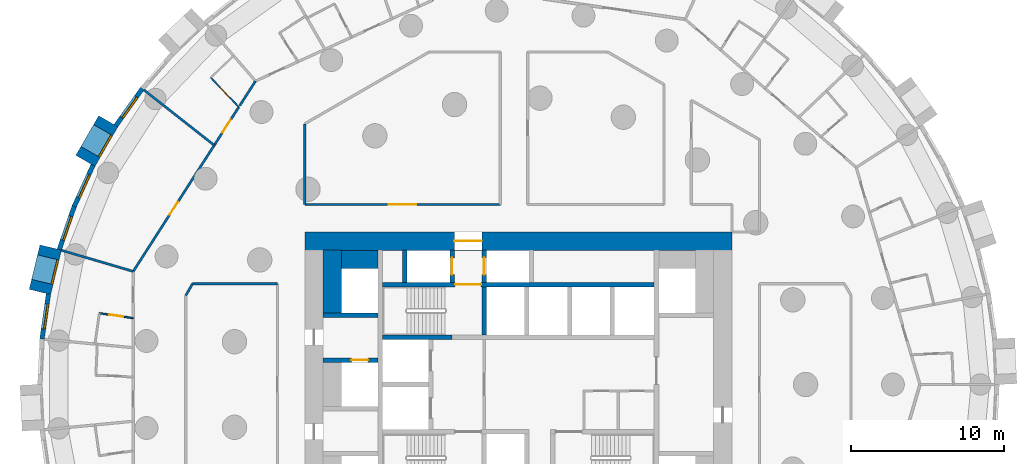
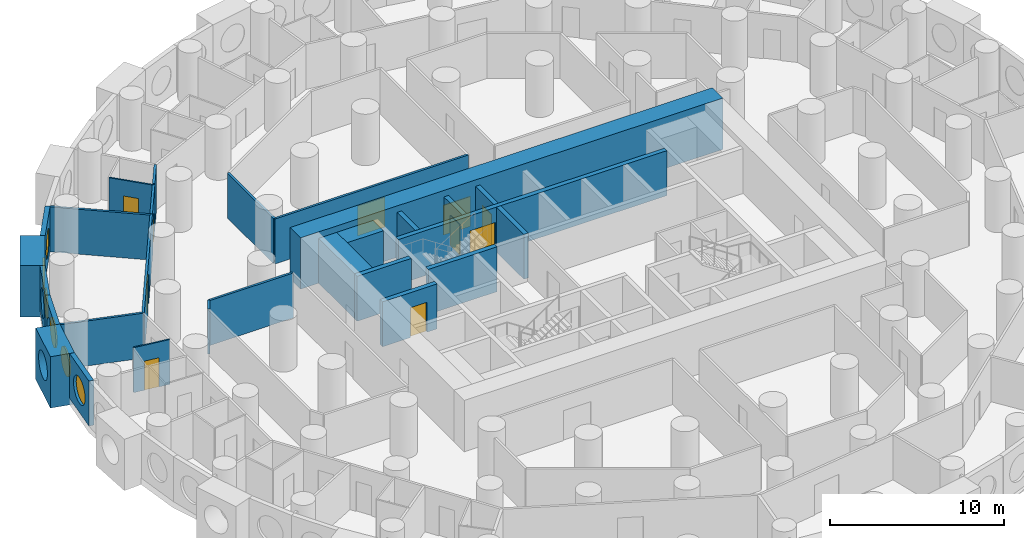
# One storey, part 7 of 12: 27 walls, 10 doors, 6 windows, 16 openings.
"""IFC4 building model written with IfcOpenShell, lengths in metres."""

from ifc_helpers import new_model, si_unit, direction, frame, frame_2d, origin, origin_2d, place, context, subcontext, project, spatial, rectangle, circle, extrude, material, layer, layer_set, type_object, element, fill, save


model = new_model("IFC4")

# Units and contexts
model_context = context("Model", 3, precision=1e-05, world=origin(), true_north=direction((0.0, 1.0)))
body_context = subcontext(model_context, "Body", "Model", "MODEL_VIEW")
ifc_project = project(units=[si_unit("LENGTHUNIT", "METRE"), si_unit("AREAUNIT", "SQUARE_METRE"), si_unit("VOLUMEUNIT", "CUBIC_METRE"), si_unit("PLANEANGLEUNIT", "RADIAN"), si_unit("MASSUNIT", "GRAM", prefix="KILO")], contexts=[model_context])

# Site, building, storey
site_placement = place(None, origin())
site = spatial("IfcSite", under=ifc_project, at=site_placement, CompositionType="ELEMENT")
building_placement = place(site_placement, origin())
building = spatial("IfcBuilding", under=site, at=building_placement, Name="Tracery Tower", CompositionType="ELEMENT")
storey_placement = place(building_placement, frame((0.0, 0.0, 35.39990234375)))
storey = spatial("IfcBuildingStorey", under=building, at=storey_placement, Name="L07", CompositionType="ELEMENT", Elevation=35.39990234375)

# Walls
ifc_material_1 = material(Name="Concrete C60/75", Category="concrete")
ifc_layer_1 = layer(ifc_material_1, 1.199951171875)
ifc_layer_set_1 = layer_set([ifc_layer_1], Name="Core strip wall 1200 C60")
wall_type_1 = type_object("IfcWallType", Name="Core strip wall 1200 C60", PredefinedType="SOLIDWALL", material=ifc_layer_set_1)
wall_1_placement = place(storey_placement, frame((-12.199951171875, 4.699951171875, 0.0), z_axis=(0.0, 0.0, 1.0), x_axis=(0.0, 1.0, 0.0)))
element("IfcWall", 1, at=wall_1_placement, inside=storey, type_object=wall_type_1, Name="L07 wing strip -1 4.55", PredefinedType="SOLIDWALL", context=body_context, shape_type="SweptSolid", body=[
    extrude(rectangle(XDim=4.10009765625, YDim=1.199951171875, at=frame_2d((2.050048828125, 0.0))), origin(), (0.0, 0.0, 1.0), 3.150146484375),
])
wall_2_placement = place(storey_placement, frame((-11.60009765625, 8.199951171875, 0.0), z_axis=(0.0, 0.0, 1.0), x_axis=(1.0, 0.0, 0.0)))
element("IfcWall", 2, at=wall_2_placement, inside=storey, type_object=wall_type_1, Name="L07 wing corner -1 +8.2", PredefinedType="SOLIDWALL", context=body_context, shape_type="SweptSolid", body=[
    extrude(rectangle(XDim=2.400146484375, YDim=1.199951171875, at=frame_2d((1.2001953125, 0.0))), origin(), (0.0, 0.0, 1.0), 3.150146484375),
])

# Wall, opening, door
ifc_material_2 = material(Name="Concrete C60/75", Category="concrete")
ifc_layer_2 = layer(ifc_material_2, 1.199951171875)
ifc_layer_set_2 = layer_set([ifc_layer_2], Name="Core wall 1200 C60")
wall_type_2 = type_object("IfcWallType", Name="Core wall 1200 C60", PredefinedType="SOLIDWALL", material=ifc_layer_set_2)
wall_3_placement = place(storey_placement, frame((-14.0, 9.39990234375, 0.0), z_axis=(0.0, 0.0, 1.0), x_axis=(1.0, 0.0, 0.0)))
wall_3 = element("IfcWall", 3, at=wall_3_placement, inside=storey, type_object=wall_type_2, Name="L07 outer N", PredefinedType="SOLIDWALL", context=body_context, shape_type="SweptSolid", body=[
    extrude(rectangle(XDim=28.0, YDim=1.199951171875, at=frame_2d((14.0, 0.0))), origin(), (0.0, 0.0, 1.0), 3.60009765625),
])
opening_1_placement = place(wall_3_placement, frame((9.800048828125, 0.0, 0.0)))
opening_1 = element("IfcOpeningElement", 4, at=opening_1_placement, cuts=wall_3, Name="Opening KD13", PredefinedType="OPENING", context=body_context, shape_type="SweptSolid", body=[
    extrude(rectangle(XDim=1.800048828125, YDim=2.10009765625, at=frame_2d((0.89990234375, 1.050048828125))), frame((0.0, 0.60009765625, 0.0), z_axis=(0.0, -1.0, 0.0), x_axis=(1.0, 0.0, 0.0)), (0.0, 0.0, 1.0), 1.199951171875),
])
ifc_material_3 = material(Name="Steel fire door", Category="steel")
door_type_1 = type_object("IfcDoorType", Name="Core exit door 1800 double", OperationType="NOTDEFINED", PredefinedType="DOOR", material=ifc_material_3)
door_1_placement = place(opening_1_placement, origin())
door_1 = element("IfcDoor", 5, at=door_1_placement, inside=storey, type_object=door_type_1, Name="Core exit door", OperationType="DOUBLE_DOOR_SINGLE_SWING", OverallHeight=2.10009765625, OverallWidth=1.800048828125, PredefinedType="DOOR", context=body_context, shape_type="SweptSolid", body=[
    extrude(rectangle(XDim=1.800048828125, YDim=2.10009765625, at=frame_2d((0.89990234375, 1.050048828125))), frame((0.0, 0.02490234375, 0.0), z_axis=(0.0, -1.0, 0.0), x_axis=(1.0, 0.0, 0.0)), (0.0, 0.0, 1.0), 0.050048828125),
])
fill(opening_1, door_1)

# Wall, opening, window
ifc_material_4 = material(Name="Precast concrete C50/60", Category="concrete")
ifc_layer_3 = layer(ifc_material_4, 1.449951171875)
ifc_layer_set_3 = layer_set([ifc_layer_3], Name="Deep-set bay unit 3000 x 3600, slab edge 450")
wall_type_3 = type_object("IfcWallType", Name="Deep-set bay unit 3000 x 3600, slab edge 450", PredefinedType="ELEMENTEDWALL", material=ifc_layer_set_3)
wall_4_placement = place(storey_placement, frame((-26.88818359375, 17.256103515625, -0.449951171875), z_axis=(0.0, 0.0, 1.0), x_axis=(-0.499990139034, -0.866031096941, 0.0)))
wall_4 = element("IfcWall", 6, at=wall_4_placement, inside=storey, type_object=wall_type_3, Name="Deep-set bay unit 28 at L07", PredefinedType="ELEMENTEDWALL", context=body_context, shape_type="SweptSolid", body=[
    extrude(rectangle(XDim=3.0, YDim=1.449951171875, at=frame_2d((1.5, 0.0))), origin(), (0.0, 0.0, 1.0), 3.60009765625),
])
opening_2_placement = place(wall_4_placement, frame((1.5, 0.0, 2.0)))
opening_2 = element("IfcOpeningElement", 7, at=opening_2_placement, cuts=wall_4, Name="Opening WN1", PredefinedType="OPENING", context=body_context, shape_type="SweptSolid", body=[
    extrude(circle(Radius=0.9000244140625, at=origin_2d()), frame((0.0, 0.73486328125, 0.0), z_axis=(0.0, -1.0, 0.0), x_axis=(1.0, 0.0, 0.0)), (0.0, 0.0, 1.0), 1.469970703125),
])
ifc_material_5 = material(Name="Aluminium frame with tinted double glazing", Category="aluminium")
window_type = type_object("IfcWindowType", Name="Round window 1800", PartitioningType="SINGLE_PANEL", PredefinedType="WINDOW", material=ifc_material_5)
window_1_placement = place(opening_2_placement, origin())
window_1 = element("IfcWindow", 8, at=window_1_placement, inside=storey, type_object=window_type, Name="Round window 28 at L07", OverallHeight=1.800048828125, OverallWidth=1.800048828125, PartitioningType="SINGLE_PANEL", PredefinedType="WINDOW", context=body_context, shape_type="SweptSolid", body=[
    extrude(circle(Radius=0.9000244140625, at=origin_2d()), frame((0.0, 0.69482421875, 0.0), z_axis=(0.0, -1.0, 0.0), x_axis=(1.0, 0.0, 0.0)), (0.0, 0.0, 1.0), 0.10009765625),
])
fill(opening_2, window_1)

wall_5_placement = place(storey_placement, frame((-30.66064453125, 8.981689453125, -0.449951171875), z_axis=(0.0, 0.0, 1.0), x_axis=(-0.235751415068, -0.971813392732, 0.0)))
wall_5 = element("IfcWall", 9, at=wall_5_placement, inside=storey, type_object=wall_type_3, Name="Deep-set bay unit 31 at L07", PredefinedType="ELEMENTEDWALL", context=body_context, shape_type="SweptSolid", body=[
    extrude(rectangle(XDim=3.0, YDim=1.449951171875, at=frame_2d((1.5, 0.0))), origin(), (0.0, 0.0, 1.0), 3.60009765625),
])
opening_3_placement = place(wall_5_placement, frame((1.5, 0.0, 2.0)))
opening_3 = element("IfcOpeningElement", 10, at=opening_3_placement, cuts=wall_5, Name="Opening WN1", PredefinedType="OPENING", context=body_context, shape_type="SweptSolid", body=[
    extrude(circle(Radius=0.9000244140625, at=origin_2d()), frame((0.0, 0.73486328125, 0.0), z_axis=(0.0, -1.0, 0.0), x_axis=(1.0, 0.0, 0.0)), (0.0, 0.0, 1.0), 1.469970703125),
])
window_2_placement = place(opening_3_placement, origin())
window_2 = element("IfcWindow", 11, at=window_2_placement, inside=storey, type_object=window_type, Name="Round window 31 at L07", OverallHeight=1.800048828125, OverallWidth=1.800048828125, PartitioningType="SINGLE_PANEL", PredefinedType="WINDOW", context=body_context, shape_type="SweptSolid", body=[
    extrude(circle(Radius=0.9000244140625, at=origin_2d()), frame((0.0, 0.69482421875, 0.0), z_axis=(0.0, -1.0, 0.0), x_axis=(1.0, 0.0, 0.0)), (0.0, 0.0, 1.0), 0.10009765625),
])
fill(opening_3, window_2)

ifc_material_6 = material(Name="Precast concrete C50/60", Category="concrete")
ifc_layer_4 = layer(ifc_material_6, 0.300048828125)
ifc_layer_set_4 = layer_set([ifc_layer_4], Name="Facade panel 3000 x 3150")
wall_type_4 = type_object("IfcWallType", Name="Facade panel 3000 x 3150", PredefinedType="SOLIDWALL", material=ifc_layer_set_4)
wall_6_placement = place(storey_placement, frame((-24.661865234375, 19.394287109375, 0.0), z_axis=(0.0, 0.0, 1.0), x_axis=(-0.580113774115, -0.814535456, 0.0)))
wall_6 = element("IfcWall", 12, at=wall_6_placement, inside=storey, type_object=wall_type_4, Name="Facade panel 27 at L07", PredefinedType="SOLIDWALL", context=body_context, shape_type="SweptSolid", body=[
    extrude(rectangle(XDim=2.979736328125, YDim=0.300048828125, at=frame_2d((1.48974609375, 0.0))), origin(), (0.0, 0.0, 1.0), 3.150146484375),
])
opening_4_placement = place(wall_6_placement, frame((1.48974609375, 0.0, 1.5498046875)))
opening_4 = element("IfcOpeningElement", 13, at=opening_4_placement, cuts=wall_6, Name="Opening WN1", PredefinedType="OPENING", context=body_context, shape_type="SweptSolid", body=[
    extrude(circle(Radius=0.9000244140625, at=origin_2d()), frame((0.0, 0.159912109375, 0.0), z_axis=(0.0, -1.0, 0.0), x_axis=(1.0, 0.0, 0.0)), (0.0, 0.0, 1.0), 0.320068359375),
])
window_3_placement = place(opening_4_placement, origin())
window_3 = element("IfcWindow", 14, at=window_3_placement, inside=storey, type_object=window_type, Name="Round window 27 at L07", OverallHeight=1.800048828125, OverallWidth=1.800048828125, PartitioningType="SINGLE_PANEL", PredefinedType="WINDOW", context=body_context, shape_type="SweptSolid", body=[
    extrude(circle(Radius=0.9000244140625, at=origin_2d()), frame((0.0, 0.1201171875, 0.0), z_axis=(0.0, -1.0, 0.0), x_axis=(1.0, 0.0, 0.0)), (0.0, 0.0, 1.0), 0.10009765625),
])
fill(opening_4, window_3)

wall_7_placement = place(storey_placement, frame((-27.88916015625, 14.37109375, 0.0), z_axis=(0.0, 0.0, 1.0), x_axis=(-0.415407317162, -0.909635509888, 0.0)))
wall_7 = element("IfcWall", 15, at=wall_7_placement, inside=storey, type_object=wall_type_4, Name="Facade panel 29 at L07", PredefinedType="SOLIDWALL", context=body_context, shape_type="SweptSolid", body=[
    extrude(rectangle(XDim=2.979736328125, YDim=0.300048828125, at=frame_2d((1.48974609375, 0.0))), origin(), (0.0, 0.0, 1.0), 3.150146484375),
])
opening_5_placement = place(wall_7_placement, frame((1.48974609375, 0.0, 1.5498046875)))
opening_5 = element("IfcOpeningElement", 16, at=opening_5_placement, cuts=wall_7, Name="Opening WN1", PredefinedType="OPENING", context=body_context, shape_type="SweptSolid", body=[
    extrude(circle(Radius=0.9000244140625, at=origin_2d()), frame((0.0, 0.159912109375, 0.0), z_axis=(0.0, -1.0, 0.0), x_axis=(1.0, 0.0, 0.0)), (0.0, 0.0, 1.0), 0.320068359375),
])
window_4_placement = place(opening_5_placement, origin())
window_4 = element("IfcWindow", 17, at=window_4_placement, inside=storey, type_object=window_type, Name="Round window 29 at L07", OverallHeight=1.800048828125, OverallWidth=1.800048828125, PartitioningType="SINGLE_PANEL", PredefinedType="WINDOW", context=body_context, shape_type="SweptSolid", body=[
    extrude(circle(Radius=0.9000244140625, at=origin_2d()), frame((0.0, 0.1201171875, 0.0), z_axis=(0.0, -1.0, 0.0), x_axis=(1.0, 0.0, 0.0)), (0.0, 0.0, 1.0), 0.10009765625),
])
fill(opening_5, window_4)

wall_8_placement = place(storey_placement, frame((-29.126953125, 11.66064453125, 0.0), z_axis=(0.0, 0.0, 1.0), x_axis=(-0.327096492592, -0.944990944154, 0.0)))
wall_8 = element("IfcWall", 18, at=wall_8_placement, inside=storey, type_object=wall_type_4, Name="Facade panel 30 at L07", PredefinedType="SOLIDWALL", context=body_context, shape_type="SweptSolid", body=[
    extrude(rectangle(XDim=2.9794921875, YDim=0.300048828125, at=frame_2d((1.48974609375, 0.0))), origin(), (0.0, 0.0, 1.0), 3.150146484375),
])
opening_6_placement = place(wall_8_placement, frame((1.48974609375, 0.0, 1.5498046875)))
opening_6 = element("IfcOpeningElement", 19, at=opening_6_placement, cuts=wall_8, Name="Opening WN1", PredefinedType="OPENING", context=body_context, shape_type="SweptSolid", body=[
    extrude(circle(Radius=0.9000244140625, at=origin_2d()), frame((0.0, 0.159912109375, 0.0), z_axis=(0.0, -1.0, 0.0), x_axis=(1.0, 0.0, 0.0)), (0.0, 0.0, 1.0), 0.320068359375),
])
window_5_placement = place(opening_6_placement, origin())
window_5 = element("IfcWindow", 20, at=window_5_placement, inside=storey, type_object=window_type, Name="Round window 30 at L07", OverallHeight=1.800048828125, OverallWidth=1.800048828125, PartitioningType="SINGLE_PANEL", PredefinedType="WINDOW", context=body_context, shape_type="SweptSolid", body=[
    extrude(circle(Radius=0.9000244140625, at=origin_2d()), frame((0.0, 0.1201171875, 0.0), z_axis=(0.0, -1.0, 0.0), x_axis=(1.0, 0.0, 0.0)), (0.0, 0.0, 1.0), 0.10009765625),
])
fill(opening_6, window_5)

wall_9_placement = place(storey_placement, frame((-30.808349609375, 5.931640625, 0.0), z_axis=(0.0, 0.0, 1.0), x_axis=(-0.142327539111, -0.989819615693, 0.0)))
wall_9 = element("IfcWall", 21, at=wall_9_placement, inside=storey, type_object=wall_type_4, Name="Facade panel 32 at L07", PredefinedType="SOLIDWALL", context=body_context, shape_type="SweptSolid", body=[
    extrude(rectangle(XDim=2.9794921875, YDim=0.300048828125, at=frame_2d((1.48974609375, 0.0))), origin(), (0.0, 0.0, 1.0), 3.150146484375),
])
opening_7_placement = place(wall_9_placement, frame((1.48974609375, 0.0, 1.5498046875)))
opening_7 = element("IfcOpeningElement", 22, at=opening_7_placement, cuts=wall_9, Name="Opening WN1", PredefinedType="OPENING", context=body_context, shape_type="SweptSolid", body=[
    extrude(circle(Radius=0.9000244140625, at=origin_2d()), frame((0.0, 0.159912109375, 0.0), z_axis=(0.0, -1.0, 0.0), x_axis=(1.0, 0.0, 0.0)), (0.0, 0.0, 1.0), 0.320068359375),
])
window_6_placement = place(opening_7_placement, origin())
window_6 = element("IfcWindow", 23, at=window_6_placement, inside=storey, type_object=window_type, Name="Round window 32 at L07", OverallHeight=1.800048828125, OverallWidth=1.800048828125, PartitioningType="SINGLE_PANEL", PredefinedType="WINDOW", context=body_context, shape_type="SweptSolid", body=[
    extrude(circle(Radius=0.9000244140625, at=origin_2d()), frame((0.0, 0.1201171875, 0.0), z_axis=(0.0, -1.0, 0.0), x_axis=(1.0, 0.0, 0.0)), (0.0, 0.0, 1.0), 0.10009765625),
])
fill(opening_7, window_6)

# Wall, opening, door
ifc_material_7 = material(Name="Plasterboard on steel studs", Category="steel")
ifc_layer_5 = layer(ifc_material_7, 0.10009765625)
ifc_layer_set_5 = layer_set([ifc_layer_5], Name="Partition 100 wet wall")
wall_type_5 = type_object("IfcWallType", Name="Partition 100 wet wall", PredefinedType="PARTITIONING", material=ifc_layer_set_5)
wall_10_placement = place(storey_placement, frame((-20.1689453125, 20.117919921875, 0.0), z_axis=(0.0, 0.0, 1.0), x_axis=(0.690011756227, -0.723798159896, 0.0)))
wall_10 = element("IfcWall", 24, at=wall_10_placement, inside=storey, type_object=wall_type_5, Name="Wet wall RA1-091", PredefinedType="PARTITIONING", context=body_context, shape_type="SweptSolid", body=[
    extrude(rectangle(XDim=2.66650390625, YDim=0.10009765625, at=frame_2d((1.333251953125, 0.0))), origin(), (0.0, 0.0, 1.0), 3.150146484375),
])
opening_8_placement = place(wall_10_placement, frame((0.883056640625, 0.0, 0.0)))
opening_8 = element("IfcOpeningElement", 25, at=opening_8_placement, cuts=wall_10, Name="Opening RA1-30", PredefinedType="OPENING", context=body_context, shape_type="SweptSolid", body=[
    extrude(rectangle(XDim=0.89990234375, YDim=2.0400390625, at=frame_2d((0.449951171875, 1.02001953125))), frame((0.0, 0.050048828125, 0.0), z_axis=(0.0, -1.0, 0.0), x_axis=(1.0, 0.0, 0.0)), (0.0, 0.0, 1.0), 0.10009765625),
])
ifc_material_8 = material(Name="Timber door leaf", Category="wood")
door_type_2 = type_object("IfcDoorType", Name="Door en-suite 900", OperationType="NOTDEFINED", PredefinedType="DOOR", material=ifc_material_8)
door_2_placement = place(opening_8_placement, origin())
door_2 = element("IfcDoor", 26, at=door_2_placement, inside=storey, type_object=door_type_2, Name="En-suite door RA1-30", OperationType="SINGLE_SWING_LEFT", OverallHeight=2.0400390625, OverallWidth=0.89990234375, PredefinedType="DOOR", context=body_context, shape_type="SweptSolid", body=[
    extrude(rectangle(XDim=0.89990234375, YDim=2.0400390625, at=frame_2d((0.449951171875, 1.02001953125))), frame((0.0, 0.02490234375, 0.0), z_axis=(0.0, -1.0, 0.0), x_axis=(1.0, 0.0, 0.0)), (0.0, 0.0, 1.0), 0.050048828125),
])
fill(opening_8, door_2)

wall_11_placement = place(storey_placement, frame((-27.471923828125, 4.6708984375, 0.0), z_axis=(0.0, 0.0, 1.0), x_axis=(0.989833725002, -0.142229381104, 0.0)))
wall_11 = element("IfcWall", 27, at=wall_11_placement, inside=storey, type_object=wall_type_5, Name="Wet wall RA1-094", PredefinedType="PARTITIONING", context=body_context, shape_type="SweptSolid", body=[
    extrude(rectangle(XDim=2.24169921875, YDim=0.10009765625, at=frame_2d((1.120849609375, 0.0))), origin(), (0.0, 0.0, 1.0), 3.150146484375),
])
opening_9_placement = place(wall_11_placement, frame((0.6708984375, 0.0, 0.0)))
opening_9 = element("IfcOpeningElement", 28, at=opening_9_placement, cuts=wall_11, Name="Opening RA1-33", PredefinedType="OPENING", context=body_context, shape_type="SweptSolid", body=[
    extrude(rectangle(XDim=0.89990234375, YDim=2.0400390625, at=frame_2d((0.449951171875, 1.02001953125))), frame((0.0, 0.050048828125, 0.0), z_axis=(0.0, -1.0, 0.0), x_axis=(1.0, 0.0, 0.0)), (0.0, 0.0, 1.0), 0.10009765625),
])
door_3_placement = place(opening_9_placement, origin())
door_3 = element("IfcDoor", 29, at=door_3_placement, inside=storey, type_object=door_type_2, Name="En-suite door RA1-33", OperationType="SINGLE_SWING_RIGHT", OverallHeight=2.0400390625, OverallWidth=0.89990234375, PredefinedType="DOOR", context=body_context, shape_type="SweptSolid", body=[
    extrude(rectangle(XDim=0.89990234375, YDim=2.0400390625, at=frame_2d((0.449951171875, 1.02001953125))), frame((0.0, 0.02490234375, 0.0), z_axis=(0.0, -1.0, 0.0), x_axis=(1.0, 0.0, 0.0)), (0.0, 0.0, 1.0), 0.050048828125),
])
fill(opening_9, door_3)

# Walls
ifc_material_9 = material(Name="Plasterboard on steel studs", Category="steel")
ifc_layer_6 = layer(ifc_material_9, 0.14990234375)
ifc_layer_set_6 = layer_set([ifc_layer_6], Name="Partition 150 acoustic unit wall")
wall_type_6 = type_object("IfcWallType", Name="Partition 150 acoustic unit wall", PredefinedType="PARTITIONING", material=ifc_layer_set_6)
wall_12_placement = place(storey_placement, frame((-24.5439453125, 19.302001953125, 0.0), z_axis=(0.0, 0.0, 1.0), x_axis=(0.786014513829, -0.618208042693, 0.0)))
element("IfcWall", 30, at=wall_12_placement, inside=storey, type_object=wall_type_6, Name="Unit wall RA1-092", PredefinedType="PARTITIONING", context=body_context, shape_type="SweptSolid", body=[
    extrude(rectangle(XDim=5.857421875, YDim=0.14990234375, at=frame_2d((2.9287109375, 0.0))), origin(), (0.0, 0.0, 1.0), 3.150146484375),
])
wall_13_placement = place(storey_placement, frame((-29.958984375, 8.797119140625, 0.0), z_axis=(0.0, 0.0, 1.0), x_axis=(0.959478767209, -0.281780934902, 0.0)))
element("IfcWall", 31, at=wall_13_placement, inside=storey, type_object=wall_type_6, Name="Unit wall RA1-093", PredefinedType="PARTITIONING", context=body_context, shape_type="SweptSolid", body=[
    extrude(rectangle(XDim=4.90478515625, YDim=0.14990234375, at=frame_2d((2.452392578125, 0.0))), origin(), (0.0, 0.0, 1.0), 3.150146484375),
])

# Wall, opening, door
ifc_material_10 = material(Name="Plasterboard on steel studs", Category="steel")
ifc_layer_7 = layer(ifc_material_10, 0.14990234375)
ifc_layer_set_7 = layer_set([ifc_layer_7], Name="Partition 150 corridor wall")
wall_type_7 = type_object("IfcWallType", Name="Partition 150 corridor wall", PredefinedType="PARTITIONING", material=ifc_layer_set_7)
wall_14_placement = place(storey_placement, frame((-14.00390625, 11.800048828125, 0.0), z_axis=(0.0, 0.0, 1.0), x_axis=(1.0, 0.0, 0.0)))
wall_14 = element("IfcWall", 32, at=wall_14_placement, inside=storey, type_object=wall_type_7, Name="Corridor wall RA1-001", PredefinedType="PARTITIONING", context=body_context, shape_type="SweptSolid", body=[
    extrude(rectangle(XDim=12.81591796875, YDim=0.14990234375, at=frame_2d((6.407958984375, 0.0))), origin(), (0.0, 0.0, 1.0), 3.150146484375),
])
opening_10_placement = place(wall_14_placement, frame((5.508056640625, 0.0, 0.0)))
opening_10 = element("IfcOpeningElement", 33, at=opening_10_placement, cuts=wall_14, Name="Opening RA1-01", PredefinedType="OPENING", context=body_context, shape_type="SweptSolid", body=[
    extrude(rectangle(XDim=1.800048828125, YDim=2.10009765625, at=frame_2d((0.89990234375, 1.050048828125))), frame((0.0, 0.074951171875, 0.0), z_axis=(0.0, -1.0, 0.0), x_axis=(1.0, 0.0, 0.0)), (0.0, 0.0, 1.0), 0.14990234375),
])
ifc_material_11 = material(Name="Timber door leaf", Category="wood")
door_type_3 = type_object("IfcDoorType", Name="Door double lounge 1800", OperationType="NOTDEFINED", PredefinedType="DOOR", material=ifc_material_11)
door_4_placement = place(opening_10_placement, origin())
door_4 = element("IfcDoor", 34, at=door_4_placement, inside=storey, type_object=door_type_3, Name="Double lounge door RA1-01", OperationType="DOUBLE_DOOR_SINGLE_SWING", OverallHeight=2.10009765625, OverallWidth=1.800048828125, PredefinedType="DOOR", context=body_context, shape_type="SweptSolid", body=[
    extrude(rectangle(XDim=1.800048828125, YDim=2.10009765625, at=frame_2d((0.89990234375, 1.050048828125))), frame((0.0, 0.02490234375, 0.0), z_axis=(0.0, -1.0, 0.0), x_axis=(1.0, 0.0, 0.0)), (0.0, 0.0, 1.0), 0.050048828125),
])
fill(opening_10, door_4)

# Walls
wall_15_placement = place(storey_placement, frame((-14.0, 11.800048828125, 0.0), z_axis=(0.0, 0.0, 1.0), x_axis=(0.0, 1.0, 0.0)))
element("IfcWall", 35, at=wall_15_placement, inside=storey, type_object=wall_type_7, Name="Corridor wall RA1-027", PredefinedType="PARTITIONING", context=body_context, shape_type="SweptSolid", body=[
    extrude(rectangle(XDim=5.2919921875, YDim=0.14990234375, at=frame_2d((2.64599609375, 0.0))), origin(), (0.0, 0.0, 1.0), 3.150146484375),
])
wall_16_placement = place(storey_placement, frame((-18.27392578125, 18.27392578125, 0.0), z_axis=(0.0, 0.0, 1.0), x_axis=(0.540751168176, 0.841182604502, 0.0)))
element("IfcWall", 36, at=wall_16_placement, inside=storey, type_object=wall_type_7, Name="Corridor wall RA1-036", PredefinedType="PARTITIONING", context=body_context, shape_type="SweptSolid", body=[
    extrude(rectangle(XDim=1.921142578125, YDim=0.14990234375, at=frame_2d((0.96044921875, 0.0))), origin(), (0.0, 0.0, 1.0), 3.150146484375),
])
wall_17_placement = place(storey_placement, frame((-21.364013671875, 6.60009765625, 0.0), z_axis=(0.0, 0.0, 1.0), x_axis=(1.0, 0.0, 0.0)))
element("IfcWall", 37, at=wall_17_placement, inside=storey, type_object=wall_type_7, Name="Corridor wall RA1-038", PredefinedType="PARTITIONING", context=body_context, shape_type="SweptSolid", body=[
    extrude(rectangle(XDim=5.56396484375, YDim=0.14990234375, at=frame_2d((2.781982421875, 0.0))), origin(), (0.0, 0.0, 1.0), 3.150146484375),
])
wall_18_placement = place(storey_placement, frame((-21.802001953125, 5.842041015625, 0.0), z_axis=(0.0, 0.0, 1.0), x_axis=(0.500277597875, 0.865865073245, 0.0)))
element("IfcWall", 38, at=wall_18_placement, inside=storey, type_object=wall_type_7, Name="Corridor wall RA1-039", PredefinedType="PARTITIONING", context=body_context, shape_type="SweptSolid", body=[
    extrude(rectangle(XDim=0.87548828125, YDim=0.14990234375, at=frame_2d((0.437744140625, 0.0))), origin(), (0.0, 0.0, 1.0), 3.150146484375),
])

# Wall, openings, doors
wall_19_placement = place(storey_placement, frame((-25.2509765625, 7.413818359375, 0.0), z_axis=(0.0, 0.0, 1.0), x_axis=(0.540498462047, 0.84134500208, 0.0)))
wall_19 = element("IfcWall", 39, at=wall_19_placement, inside=storey, type_object=wall_type_7, Name="Corridor wall RA1-043", PredefinedType="PARTITIONING", context=body_context, shape_type="SweptSolid", body=[
    extrude(rectangle(XDim=12.810546875, YDim=0.14990234375, at=frame_2d((6.4052734375, 0.0))), origin(), (0.0, 0.0, 1.0), 3.150146484375),
])
opening_11_placement = place(wall_19_placement, frame((10.816650390625, 0.0, 0.0)))
opening_11 = element("IfcOpeningElement", 40, at=opening_11_placement, cuts=wall_19, Name="Opening RA1-31", PredefinedType="OPENING", context=body_context, shape_type="SweptSolid", body=[
    extrude(rectangle(XDim=1.0, YDim=2.10009765625, at=frame_2d((0.5, 1.050048828125))), frame((0.0, 0.074951171875, 0.0), z_axis=(0.0, -1.0, 0.0), x_axis=(1.0, 0.0, 0.0)), (0.0, 0.0, 1.0), 0.14990234375),
])
opening_12_placement = place(wall_19_placement, frame((4.4150390625, 0.0, 0.0)))
opening_12 = element("IfcOpeningElement", 41, at=opening_12_placement, cuts=wall_19, Name="Opening RA1-32", PredefinedType="OPENING", context=body_context, shape_type="SweptSolid", body=[
    extrude(rectangle(XDim=1.0, YDim=2.0400390625, at=frame_2d((0.5, 1.02001953125))), frame((0.0, 0.074951171875, 0.0), z_axis=(0.0, -1.0, 0.0), x_axis=(1.0, 0.0, 0.0)), (0.0, 0.0, 1.0), 0.14990234375),
])
ifc_material_12 = material(Name="Timber door leaf", Category="wood")
door_type_4 = type_object("IfcDoorType", Name="Door communal room 1000", OperationType="NOTDEFINED", PredefinedType="DOOR", material=ifc_material_12)
door_5_placement = place(opening_12_placement, origin())
door_5 = element("IfcDoor", 42, at=door_5_placement, inside=storey, type_object=door_type_4, Name="Communal room door RA1-32", OperationType="SINGLE_SWING_RIGHT", OverallHeight=2.0400390625, OverallWidth=1.0, PredefinedType="DOOR", context=body_context, shape_type="SweptSolid", body=[
    extrude(rectangle(XDim=1.0, YDim=2.0400390625, at=frame_2d((0.5, 1.02001953125))), frame((0.0, 0.02490234375, 0.0), z_axis=(0.0, -1.0, 0.0), x_axis=(1.0, 0.0, 0.0)), (0.0, 0.0, 1.0), 0.050048828125),
])
fill(opening_12, door_5)
ifc_material_13 = material(Name="Timber door leaf", Category="wood")
door_type_5 = type_object("IfcDoorType", Name="Door unit entrance 1000", OperationType="NOTDEFINED", PredefinedType="DOOR", material=ifc_material_13)
door_6_placement = place(opening_11_placement, origin())
door_6 = element("IfcDoor", 43, at=door_6_placement, inside=storey, type_object=door_type_5, Name="Unit entrance door RA1-31", OperationType="SINGLE_SWING_LEFT", OverallHeight=2.10009765625, OverallWidth=1.0, PredefinedType="DOOR", context=body_context, shape_type="SweptSolid", body=[
    extrude(rectangle(XDim=1.0, YDim=2.10009765625, at=frame_2d((0.5, 1.050048828125))), frame((0.0, 0.02490234375, 0.0), z_axis=(0.0, -1.0, 0.0), x_axis=(1.0, 0.0, 0.0)), (0.0, 0.0, 1.0), 0.050048828125),
])
fill(opening_11, door_6)

# Wall
ifc_material_14 = material(Name="Concrete C60/75", Category="concrete")
ifc_layer_8 = layer(ifc_material_14, 0.300048828125)
ifc_layer_set_8 = layer_set([ifc_layer_8], Name="Shaft wall 300 C60")
wall_type_8 = type_object("IfcWallType", Name="Shaft wall 300 C60", PredefinedType="SOLIDWALL", material=ifc_layer_set_8)
wall_20_placement = place(storey_placement, frame((-7.449951171875, 6.699951171875, 0.0), z_axis=(0.0, 0.0, 1.0), x_axis=(0.0, 1.0, 0.0)))
element("IfcWall", 44, at=wall_20_placement, inside=storey, type_object=wall_type_8, Name="L07 LR sep -7.45", PredefinedType="SOLIDWALL", context=body_context, shape_type="SweptSolid", body=[
    extrude(rectangle(XDim=2.10009765625, YDim=0.300048828125, at=frame_2d((1.050048828125, 0.0))), origin(), (0.0, 0.0, 1.0), 3.150146484375),
])

# Wall, opening, door
wall_21_placement = place(storey_placement, frame((-4.35009765625, 6.699951171875, 0.0), z_axis=(0.0, 0.0, 1.0), x_axis=(0.0, 1.0, 0.0)))
wall_21 = element("IfcWall", 45, at=wall_21_placement, inside=storey, type_object=wall_type_8, Name="L07 LR sep -4.35", PredefinedType="SOLIDWALL", context=body_context, shape_type="SweptSolid", body=[
    extrude(rectangle(XDim=2.10009765625, YDim=0.300048828125, at=frame_2d((1.050048828125, 0.0))), origin(), (0.0, 0.0, 1.0), 3.150146484375),
])
opening_13_placement = place(wall_21_placement, frame((0.5, 0.0, 0.0)))
opening_13 = element("IfcOpeningElement", 46, at=opening_13_placement, cuts=wall_21, Name="Opening KD50", PredefinedType="OPENING", context=body_context, shape_type="SweptSolid", body=[
    extrude(rectangle(XDim=1.10009765625, YDim=2.10009765625, at=frame_2d((0.550048828125, 1.050048828125))), frame((0.0, 0.14990234375, 0.0), z_axis=(0.0, -1.0, 0.0), x_axis=(1.0, 0.0, 0.0)), (0.0, 0.0, 1.0), 0.300048828125),
])
ifc_material_15 = material(Name="Steel fire door", Category="steel")
door_type_6 = type_object("IfcDoorType", Name="Landing door 1100", OperationType="NOTDEFINED", PredefinedType="DOOR", material=ifc_material_15)
door_7_placement = place(opening_13_placement, origin())
door_7 = element("IfcDoor", 47, at=door_7_placement, inside=storey, type_object=door_type_6, Name="Landing door LR3", OperationType="SLIDING_TO_RIGHT", OverallHeight=2.10009765625, OverallWidth=1.10009765625, PredefinedType="DOOR", context=body_context, shape_type="SweptSolid", body=[
    extrude(rectangle(XDim=1.10009765625, YDim=2.10009765625, at=frame_2d((0.550048828125, 1.050048828125))), frame((0.0, 0.02490234375, 0.0), z_axis=(0.0, -1.0, 0.0), x_axis=(1.0, 0.0, 0.0)), (0.0, 0.0, 1.0), 0.050048828125),
])
fill(opening_13, door_7)

# Wall
wall_22_placement = place(storey_placement, frame((-12.800048828125, 4.550048828125, 0.0), z_axis=(0.0, 0.0, 1.0), x_axis=(1.0, 0.0, 0.0)))
element("IfcWall", 48, at=wall_22_placement, inside=storey, type_object=wall_type_8, Name="L07 wing shaft wall -1 +4.55", PredefinedType="SOLIDWALL", context=body_context, shape_type="SweptSolid", body=[
    extrude(rectangle(XDim=3.60009765625, YDim=0.300048828125, at=frame_2d((1.800048828125, 0.0))), origin(), (0.0, 0.0, 1.0), 3.150146484375),
])

# Wall, opening, door
wall_23_placement = place(storey_placement, frame((-12.800048828125, 1.60009765625, 0.0), z_axis=(0.0, 0.0, 1.0), x_axis=(1.0, 0.0, 0.0)))
wall_23 = element("IfcWall", 49, at=wall_23_placement, inside=storey, type_object=wall_type_8, Name="L07 wing shaft wall -1 +1.60", PredefinedType="SOLIDWALL", context=body_context, shape_type="SweptSolid", body=[
    extrude(rectangle(XDim=3.60009765625, YDim=0.300048828125, at=frame_2d((1.800048828125, 0.0))), origin(), (0.0, 0.0, 1.0), 3.150146484375),
])
opening_14_placement = place(wall_23_placement, frame((1.85009765625, 0.0, 0.0)))
opening_14 = element("IfcOpeningElement", 50, at=opening_14_placement, cuts=wall_23, Name="Opening KD50", PredefinedType="OPENING", context=body_context, shape_type="SweptSolid", body=[
    extrude(rectangle(XDim=1.10009765625, YDim=2.10009765625, at=frame_2d((0.550048828125, 1.050048828125))), frame((0.0, 0.14990234375, 0.0), z_axis=(0.0, -1.0, 0.0), x_axis=(1.0, 0.0, 0.0)), (0.0, 0.0, 1.0), 0.300048828125),
])
door_8_placement = place(opening_14_placement, origin())
door_8 = element("IfcDoor", 51, at=door_8_placement, inside=storey, type_object=door_type_6, Name="Landing door LR1", OperationType="SLIDING_TO_RIGHT", OverallHeight=2.10009765625, OverallWidth=1.10009765625, PredefinedType="DOOR", context=body_context, shape_type="SweptSolid", body=[
    extrude(rectangle(XDim=1.10009765625, YDim=2.10009765625, at=frame_2d((0.550048828125, 1.050048828125))), frame((0.0, 0.02490234375, 0.0), z_axis=(0.0, -1.0, 0.0), x_axis=(1.0, 0.0, 0.0)), (0.0, 0.0, 1.0), 0.050048828125),
])
fill(opening_14, door_8)

# Walls
ifc_material_16 = material(Name="Concrete C60/75", Category="concrete")
ifc_layer_9 = layer(ifc_material_16, 0.300048828125)
ifc_layer_set_9 = layer_set([ifc_layer_9], Name="Stair wall 300 C60")
wall_type_9 = type_object("IfcWallType", Name="Stair wall 300 C60", PredefinedType="SOLIDWALL", material=ifc_layer_set_9)
wall_24_placement = place(storey_placement, frame((-8.89990234375, 3.10009765625, 0.0), z_axis=(0.0, 0.0, 1.0), x_axis=(1.0, 0.0, 0.0)))
element("IfcWall", 52, at=wall_24_placement, inside=storey, type_object=wall_type_9, Name="L07 row N W", PredefinedType="SOLIDWALL", context=body_context, shape_type="SweptSolid", body=[
    extrude(rectangle(XDim=4.5498046875, YDim=0.300048828125, at=frame_2d((2.27490234375, 0.0))), origin(), (0.0, 0.0, 1.0), 3.150146484375),
])
wall_25_placement = place(storey_placement, frame((-2.25, 3.25, 0.0), z_axis=(0.0, 0.0, 1.0), x_axis=(0.0, 1.0, 0.0)))
element("IfcWall", 53, at=wall_25_placement, inside=storey, type_object=wall_type_9, Name="L07 ST3 E", PredefinedType="SOLIDWALL", context=body_context, shape_type="SweptSolid", body=[
    extrude(rectangle(XDim=3.14990234375, YDim=0.300048828125, at=frame_2d((1.574951171875, 0.0))), origin(), (0.0, 0.0, 1.0), 3.150146484375),
])

# Wall, opening, door
wall_26_placement = place(storey_placement, frame((-8.89990234375, 6.550048828125, 0.0), z_axis=(0.0, 0.0, 1.0), x_axis=(1.0, 0.0, 0.0)))
wall_26 = element("IfcWall", 54, at=wall_26_placement, inside=storey, type_object=wall_type_9, Name="L07 F N", PredefinedType="SOLIDWALL", context=body_context, shape_type="SweptSolid", body=[
    extrude(rectangle(XDim=17.7998046875, YDim=0.300048828125, at=frame_2d((8.89990234375, 0.0))), origin(), (0.0, 0.0, 1.0), 3.150146484375),
])
opening_15_placement = place(wall_26_placement, frame((4.75, 0.0, 0.0)))
opening_15 = element("IfcOpeningElement", 55, at=opening_15_placement, cuts=wall_26, Name="Opening KD3", PredefinedType="OPENING", context=body_context, shape_type="SweptSolid", body=[
    extrude(rectangle(XDim=1.699951171875, YDim=2.10009765625, at=frame_2d((0.85009765625, 1.050048828125))), frame((0.0, 0.14990234375, 0.0), z_axis=(0.0, -1.0, 0.0), x_axis=(1.0, 0.0, 0.0)), (0.0, 0.0, 1.0), 0.300048828125),
])
ifc_material_17 = material(Name="Steel fire door", Category="steel")
door_type_7 = type_object("IfcDoorType", Name="Core stair door 1700 double", OperationType="NOTDEFINED", PredefinedType="DOOR", material=ifc_material_17)
door_9_placement = place(opening_15_placement, origin())
door_9 = element("IfcDoor", 56, at=door_9_placement, inside=storey, type_object=door_type_7, Name="Stair door ST3 N", OperationType="DOUBLE_DOOR_SINGLE_SWING", OverallHeight=2.10009765625, OverallWidth=1.699951171875, PredefinedType="DOOR", context=body_context, shape_type="SweptSolid", body=[
    extrude(rectangle(XDim=1.699951171875, YDim=2.10009765625, at=frame_2d((0.85009765625, 1.050048828125))), frame((0.0, 0.02490234375, 0.0), z_axis=(0.0, -1.0, 0.0), x_axis=(1.0, 0.0, 0.0)), (0.0, 0.0, 1.0), 0.050048828125),
])
fill(opening_15, door_9)

wall_27_placement = place(storey_placement, frame((-2.25, 6.699951171875, 0.0), z_axis=(0.0, 0.0, 1.0), x_axis=(0.0, 1.0, 0.0)))
wall_27 = element("IfcWall", 57, at=wall_27_placement, inside=storey, type_object=wall_type_9, Name="L07 ST3 E out", PredefinedType="SOLIDWALL", context=body_context, shape_type="SweptSolid", body=[
    extrude(rectangle(XDim=2.10009765625, YDim=0.300048828125, at=frame_2d((1.050048828125, 0.0))), origin(), (0.0, 0.0, 1.0), 3.150146484375),
])
opening_16_placement = place(wall_27_placement, frame((0.5, 0.0, 0.0)))
opening_16 = element("IfcOpeningElement", 58, at=opening_16_placement, cuts=wall_27, Name="Opening KD49", PredefinedType="OPENING", context=body_context, shape_type="SweptSolid", body=[
    extrude(rectangle(XDim=1.10009765625, YDim=2.10009765625, at=frame_2d((0.550048828125, 1.050048828125))), frame((0.0, 0.14990234375, 0.0), z_axis=(0.0, -1.0, 0.0), x_axis=(1.0, 0.0, 0.0)), (0.0, 0.0, 1.0), 0.300048828125),
])
door_10_placement = place(opening_16_placement, origin())
door_10 = element("IfcDoor", 59, at=door_10_placement, inside=storey, type_object=door_type_6, Name="Landing door LR2", OperationType="SLIDING_TO_LEFT", OverallHeight=2.10009765625, OverallWidth=1.10009765625, PredefinedType="DOOR", context=body_context, shape_type="SweptSolid", body=[
    extrude(rectangle(XDim=1.10009765625, YDim=2.10009765625, at=frame_2d((0.550048828125, 1.050048828125))), frame((0.0, 0.02490234375, 0.0), z_axis=(0.0, -1.0, 0.0), x_axis=(1.0, 0.0, 0.0)), (0.0, 0.0, 1.0), 0.050048828125),
])
fill(opening_16, door_10)

save(model, "model.ifc")
